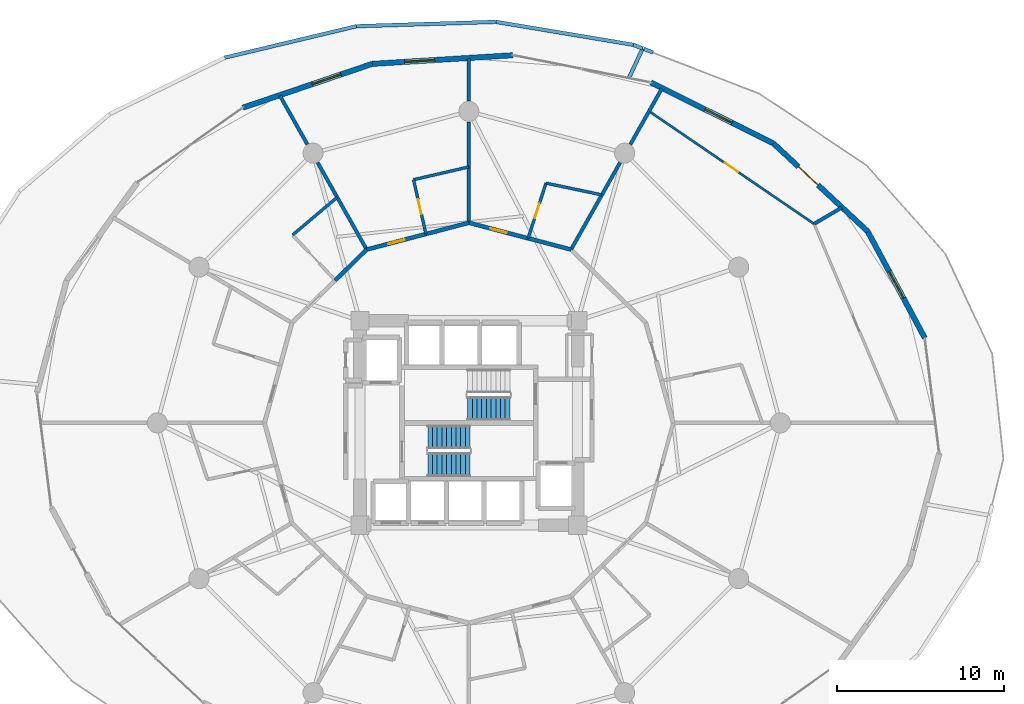
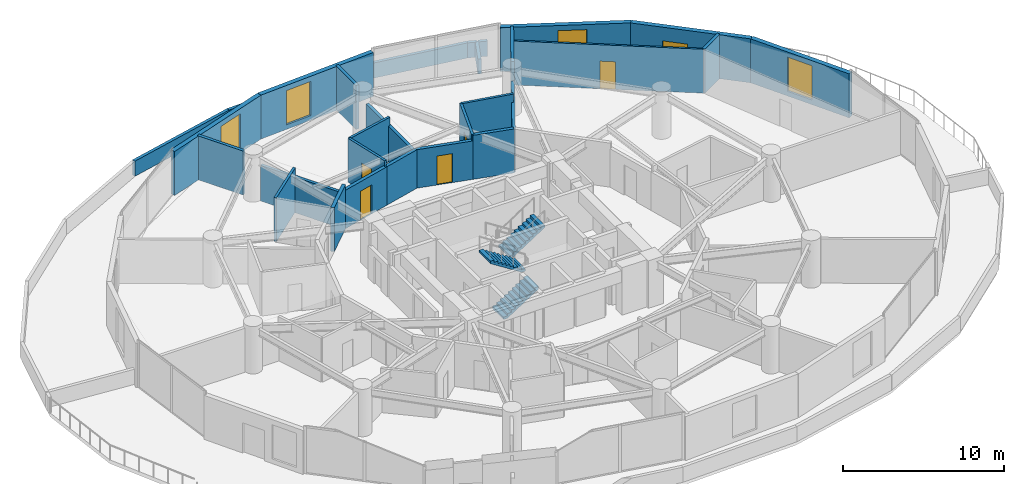
# One storey, part 21 of 25: 29 walls, 6 doors, 4 windows, 3 stair flights, 10 openings, 2 elements without a shape of their own.
"""IFC4 building model written with IfcOpenShell, lengths in metres."""

from ifc_helpers import new_model, si_unit, direction, frame, frame_2d, origin, place, context, subcontext, project, spatial, polyline, rectangle, outline, extrude, material, layer, layer_set, type_object, element, fill, aggregate, save


model = new_model("IFC4")

# Units and contexts
model_context = context("Model", 3, precision=1e-05, world=origin(), true_north=direction((0.0, 1.0)))
body_context = subcontext(model_context, "Body", "Model", "MODEL_VIEW")
ifc_project = project(units=[si_unit("LENGTHUNIT", "METRE"), si_unit("AREAUNIT", "SQUARE_METRE"), si_unit("VOLUMEUNIT", "CUBIC_METRE"), si_unit("PLANEANGLEUNIT", "RADIAN"), si_unit("MASSUNIT", "GRAM", prefix="KILO")], contexts=[model_context])

# Site, building, storey
site_placement = place(None, origin())
site = spatial("IfcSite", under=ifc_project, at=site_placement, CompositionType="ELEMENT")
building_placement = place(site_placement, origin())
building = spatial("IfcBuilding", under=site, at=building_placement, Name="Solvirekh Grand Hotel", CompositionType="ELEMENT")
storey_placement = place(building_placement, frame((0.0, 0.0, 28.39990234375)))
storey = spatial("IfcBuildingStorey", under=building, at=storey_placement, Name="L05", CompositionType="ELEMENT", Elevation=28.39990234375)

# Wall, opening, window
ifc_material_1 = material(Name="Precast concrete C45/55", Category="concrete")
ifc_layer_1 = layer(ifc_material_1, 0.320068359375)
ifc_layer_set_1 = layer_set([ifc_layer_1], Name="Precast concrete C45/55")
wall_type_1 = type_object("IfcWallType", Name="ExtLobbyWall_RC320", PredefinedType="SOLIDWALL", material=ifc_layer_set_1)
wall_1_placement = place(storey_placement, frame((23.81005859375, 11.43896484375, 0.0), z_axis=(0.0, 0.0, 1.0), x_axis=(0.472255130515, -0.881461905985, 0.0)))
wall_1 = element("IfcWall", 1, at=wall_1_placement, inside=storey, type_object=wall_type_1, Name="L05 exterior structural wall chord 2", PredefinedType="SOLIDWALL", context=body_context, shape_type="SweptSolid", body=[
    extrude(rectangle(XDim=7.2333984375, YDim=0.320068359375, at=frame_2d((3.61669921875, 0.0))), origin(), (0.0, 0.0, 1.0), 3.340087890625),
])
opening_1_placement = place(wall_1_placement, frame((2.717041015625, 0.0, 0.35009765625)))
opening_1 = element("IfcOpeningElement", 2, at=opening_1_placement, cuts=wall_1, Name="Opening W02", PredefinedType="OPENING", context=body_context, shape_type="SweptSolid", body=[
    extrude(rectangle(XDim=1.800048828125, YDim=2.60009765625, at=frame_2d((0.89990234375, 1.300048828125))), frame((0.0, 0.169921875, 0.0), z_axis=(0.0, -1.0, 0.0), x_axis=(1.0, 0.0, 0.0)), (0.0, 0.0, 1.0), 0.340087890625),
])
ifc_material_2 = material(Name="Low-E Tinted Bronze Laminated Glass", Category="aluminium")
window_type = type_object("IfcWindowType", Name="Win_LobbyExt_1800X2600", PartitioningType="SINGLE_PANEL", PredefinedType="WINDOW", material=ifc_material_2)
window_1_placement = place(opening_1_placement, origin())
window_1 = element("IfcWindow", 3, at=window_1_placement, inside=storey, type_object=window_type, Name="L05 panoramic bronze-framed window 2", OverallHeight=2.60009765625, OverallWidth=1.800048828125, PartitioningType="SINGLE_PANEL", PredefinedType="WINDOW", context=body_context, shape_type="SweptSolid", body=[
    extrude(rectangle(XDim=1.800048828125, YDim=2.60009765625, at=frame_2d((0.89990234375, 1.300048828125))), frame((0.0, 0.030029296875, 0.0), z_axis=(0.0, -1.0, 0.0), x_axis=(1.0, 0.0, 0.0)), (0.0, 0.0, 1.0), 0.06005859375),
])
fill(opening_1, window_1)

# Wall, opening, door
wall_2_placement = place(storey_placement, frame((18.177001953125, 16.696044921875, 0.0), z_axis=(0.0, 0.0, 1.0), x_axis=(0.731083716984, -0.682287768292, 0.0)))
wall_2 = element("IfcWall", 4, at=wall_2_placement, inside=storey, type_object=wall_type_1, Name="L05 exterior structural wall chord 3", PredefinedType="SOLIDWALL", context=body_context, shape_type="SweptSolid", body=[
    extrude(rectangle(XDim=7.705078125, YDim=0.320068359375, at=frame_2d((3.8525390625, 0.0))), origin(), (0.0, 0.0, 1.0), 3.340087890625),
])
opening_2_placement = place(wall_2_placement, frame((2.052001953125, 0.0, 0.0)))
opening_2 = element("IfcOpeningElement", 5, at=opening_2_placement, cuts=wall_2, Name="Opening D04", PredefinedType="OPENING", context=body_context, shape_type="SweptSolid", body=[
    extrude(rectangle(XDim=1.60009765625, YDim=2.300048828125, at=frame_2d((0.800048828125, 1.14990234375))), frame((0.0, 0.169921875, 0.0), z_axis=(0.0, -1.0, 0.0), x_axis=(1.0, 0.0, 0.0)), (0.0, 0.0, 1.0), 0.340087890625),
])
ifc_material_3 = material(Name="Anodized Bronze Aluminium 6063-T6", Category="aluminium")
door_type_1 = type_object("IfcDoorType", Name="Door_ExtTerrace_1600X2300", OperationType="NOTDEFINED", PredefinedType="DOOR", material=ifc_material_3)
door_1_placement = place(opening_2_placement, origin())
door_1 = element("IfcDoor", 6, at=door_1_placement, inside=storey, type_object=door_type_1, Name="L05 Podium roof terrace east exit door (3)", OperationType="SINGLE_SWING_RIGHT", OverallHeight=2.300048828125, OverallWidth=1.60009765625, PredefinedType="DOOR", context=body_context, shape_type="SweptSolid", body=[
    extrude(rectangle(XDim=1.60009765625, YDim=2.300048828125, at=frame_2d((0.800048828125, 1.14990234375))), frame((0.0, 0.02490234375, 0.0), z_axis=(0.0, -1.0, 0.0), x_axis=(1.0, 0.0, 0.0)), (0.0, 0.0, 1.0), 0.050048828125),
])
fill(opening_2, door_1)

# Wall, opening, window
wall_3_placement = place(storey_placement, frame((10.8759765625, 20.318115234375, 0.0), z_axis=(0.0, 0.0, 1.0), x_axis=(0.895818759339, -0.444419565743, 0.0)))
wall_3 = element("IfcWall", 7, at=wall_3_placement, inside=storey, type_object=wall_type_1, Name="L05 exterior structural wall chord 4", PredefinedType="SOLIDWALL", context=body_context, shape_type="SweptSolid", body=[
    extrude(rectangle(XDim=8.150146484375, YDim=0.320068359375, at=frame_2d((4.0751953125, 0.0))), origin(), (0.0, 0.0, 1.0), 3.340087890625),
])
opening_3_placement = place(wall_3_placement, frame((3.593994140625, 0.0, 0.35009765625)))
opening_3 = element("IfcOpeningElement", 8, at=opening_3_placement, cuts=wall_3, Name="Opening W02", PredefinedType="OPENING", context=body_context, shape_type="SweptSolid", body=[
    extrude(rectangle(XDim=1.800048828125, YDim=2.60009765625, at=frame_2d((0.89990234375, 1.300048828125))), frame((0.0, 0.169921875, 0.0), z_axis=(0.0, -1.0, 0.0), x_axis=(1.0, 0.0, 0.0)), (0.0, 0.0, 1.0), 0.340087890625),
])
window_2_placement = place(opening_3_placement, origin())
window_2 = element("IfcWindow", 9, at=window_2_placement, inside=storey, type_object=window_type, Name="L05 panoramic bronze-framed window 4", OverallHeight=2.60009765625, OverallWidth=1.800048828125, PartitioningType="SINGLE_PANEL", PredefinedType="WINDOW", context=body_context, shape_type="SweptSolid", body=[
    extrude(rectangle(XDim=1.800048828125, YDim=2.60009765625, at=frame_2d((0.89990234375, 1.300048828125))), frame((0.0, 0.030029296875, 0.0), z_axis=(0.0, -1.0, 0.0), x_axis=(1.0, 0.0, 0.0)), (0.0, 0.0, 1.0), 0.06005859375),
])
fill(opening_3, window_2)

wall_4_placement = place(storey_placement, frame((-5.77294921875, 21.43505859375, 0.0), z_axis=(0.0, 0.0, 1.0), x_axis=(0.998117750792, 0.06132663005, 0.0)))
wall_4 = element("IfcWall", 10, at=wall_4_placement, inside=storey, type_object=wall_type_1, Name="L05 exterior structural wall chord 6", PredefinedType="SOLIDWALL", context=body_context, shape_type="SweptSolid", body=[
    extrude(rectangle(XDim=8.411865234375, YDim=0.320068359375, at=frame_2d((4.2060546875, 0.0))), origin(), (0.0, 0.0, 1.0), 3.340087890625),
])
opening_4_placement = place(wall_4_placement, frame((1.94091796875, 0.0, 0.35009765625)))
opening_4 = element("IfcOpeningElement", 11, at=opening_4_placement, cuts=wall_4, Name="Opening W02", PredefinedType="OPENING", context=body_context, shape_type="SweptSolid", body=[
    extrude(rectangle(XDim=1.800048828125, YDim=2.60009765625, at=frame_2d((0.89990234375, 1.300048828125))), frame((0.0, 0.169921875, 0.0), z_axis=(0.0, -1.0, 0.0), x_axis=(1.0, 0.0, 0.0)), (0.0, 0.0, 1.0), 0.340087890625),
])
window_3_placement = place(opening_4_placement, origin())
window_3 = element("IfcWindow", 12, at=window_3_placement, inside=storey, type_object=window_type, Name="L05 panoramic bronze-framed window 6", OverallHeight=2.60009765625, OverallWidth=1.800048828125, PartitioningType="SINGLE_PANEL", PredefinedType="WINDOW", context=body_context, shape_type="SweptSolid", body=[
    extrude(rectangle(XDim=1.800048828125, YDim=2.60009765625, at=frame_2d((0.89990234375, 1.300048828125))), frame((0.0, 0.030029296875, 0.0), z_axis=(0.0, -1.0, 0.0), x_axis=(1.0, 0.0, 0.0)), (0.0, 0.0, 1.0), 0.06005859375),
])
fill(opening_4, window_3)

wall_5_placement = place(storey_placement, frame((-13.492919921875, 18.821044921875, 0.0), z_axis=(0.0, 0.0, 1.0), x_axis=(0.94717495877, 0.320717317085, 0.0)))
wall_5 = element("IfcWall", 13, at=wall_5_placement, inside=storey, type_object=wall_type_1, Name="L05 exterior structural wall chord 7", PredefinedType="SOLIDWALL", context=body_context, shape_type="SweptSolid", body=[
    extrude(rectangle(XDim=8.150634765625, YDim=0.320068359375, at=frame_2d((4.0751953125, 0.0))), origin(), (0.0, 0.0, 1.0), 3.340087890625),
])
opening_5_placement = place(wall_5_placement, frame((4.388916015625, 0.0, 0.35009765625)))
opening_5 = element("IfcOpeningElement", 14, at=opening_5_placement, cuts=wall_5, Name="Opening W02", PredefinedType="OPENING", context=body_context, shape_type="SweptSolid", body=[
    extrude(rectangle(XDim=1.800048828125, YDim=2.60009765625, at=frame_2d((0.89990234375, 1.300048828125))), frame((0.0, 0.169921875, 0.0), z_axis=(0.0, -1.0, 0.0), x_axis=(1.0, 0.0, 0.0)), (0.0, 0.0, 1.0), 0.340087890625),
])
window_4_placement = place(opening_5_placement, origin())
window_4 = element("IfcWindow", 15, at=window_4_placement, inside=storey, type_object=window_type, Name="L05 panoramic bronze-framed window 7", OverallHeight=2.60009765625, OverallWidth=1.800048828125, PartitioningType="SINGLE_PANEL", PredefinedType="WINDOW", context=body_context, shape_type="SweptSolid", body=[
    extrude(rectangle(XDim=1.800048828125, YDim=2.60009765625, at=frame_2d((0.89990234375, 1.300048828125))), frame((0.0, 0.030029296875, 0.0), z_axis=(0.0, -1.0, 0.0), x_axis=(1.0, 0.0, 0.0)), (0.0, 0.0, 1.0), 0.06005859375),
])
fill(opening_5, window_4)

# Walls
ifc_layer_2 = layer(ifc_material_1, 0.219970703125)
ifc_layer_set_2 = layer_set([ifc_layer_2], Name="Precast concrete C45/55")
wall_type_2 = type_object("IfcWallType", Name="ExtParapet_RC220", PredefinedType="PARAPET", material=ifc_layer_set_2)
wall_6_placement = place(storey_placement, frame((10.9970703125, 22.1201171875, 0.0), z_axis=(0.0, 0.0, 1.0), x_axis=(-0.932823861969, 0.360332683143, 0.0)))
element("IfcWall", 16, at=wall_6_placement, inside=storey, type_object=wall_type_2, Name="L05 east terrace movement-joint end pier 1B", PredefinedType="PARAPET", context=body_context, shape_type="SweptSolid", body=[
    extrude(rectangle(XDim=0.580078125, YDim=0.219970703125, at=frame_2d((0.2900390625, 0.0))), origin(), (0.0, 0.0, 1.0), 1.150146484375),
])
wall_7_placement = place(storey_placement, frame((9.56103515625, 20.59912109375, 0.0), z_axis=(0.0, 0.0, 1.0), x_axis=(0.422589288727, 0.906321296811, 0.0)))
element("IfcWall", 17, at=wall_7_placement, inside=storey, type_object=wall_type_2, Name="L05 north podium roof upstand parapet 1", PredefinedType="PARAPET", context=body_context, shape_type="SweptSolid", body=[
    extrude(rectangle(XDim=1.940673828125, YDim=0.219970703125, at=frame_2d((0.97021484375, 0.0))), origin(), (0.0, 0.0, 1.0), 1.150146484375),
])
wall_8_placement = place(storey_placement, frame((10.381103515625, 22.35791015625, 0.0), z_axis=(0.0, 0.0, 1.0), x_axis=(-0.932991992414, 0.359897127095, 0.0)))
element("IfcWall", 18, at=wall_8_placement, inside=storey, type_object=wall_type_2, Name="L05 north podium roof upstand parapet 2", PredefinedType="PARAPET", context=body_context, shape_type="SweptSolid", body=[
    extrude(rectangle(XDim=0.605712890625, YDim=0.219970703125, at=frame_2d((0.302734375, 0.0))), origin(), (0.0, 0.0, 1.0), 1.150146484375),
])
wall_9_placement = place(storey_placement, frame((9.81591796875, 22.575927734375, 0.0), z_axis=(0.0, 0.0, 1.0), x_axis=(-0.98635584135, 0.164627319226, 0.0)))
element("IfcWall", 19, at=wall_9_placement, inside=storey, type_object=wall_type_2, Name="L05 north podium roof upstand parapet 3", PredefinedType="PARAPET", context=body_context, shape_type="SweptSolid", body=[
    extrude(rectangle(XDim=8.322509765625, YDim=0.219970703125, at=frame_2d((4.1611328125, 0.0))), origin(), (0.0, 0.0, 1.0), 1.150146484375),
])
wall_10_placement = place(storey_placement, frame((1.60693359375, 23.946044921875, 0.0), z_axis=(0.0, 0.0, 1.0), x_axis=(-0.999508118347, -0.031361144071, 0.0)))
element("IfcWall", 20, at=wall_10_placement, inside=storey, type_object=wall_type_2, Name="L05 north podium roof upstand parapet 4", PredefinedType="PARAPET", context=body_context, shape_type="SweptSolid", body=[
    extrude(rectangle(XDim=8.322021484375, YDim=0.219970703125, at=frame_2d((4.1611328125, 0.0))), origin(), (0.0, 0.0, 1.0), 1.150146484375),
])
wall_11_placement = place(storey_placement, frame((-6.7109375, 23.68505859375, 0.0), z_axis=(0.0, 0.0, 1.0), x_axis=(-0.972686482299, -0.232122827727, 0.0)))
element("IfcWall", 21, at=wall_11_placement, inside=storey, type_object=wall_type_2, Name="L05 north podium roof upstand parapet 5", PredefinedType="PARAPET", context=body_context, shape_type="SweptSolid", body=[
    extrude(rectangle(XDim=8.081787109375, YDim=0.219970703125, at=frame_2d((4.041015625, 0.0))), origin(), (0.0, 0.0, 1.0), 1.150146484375),
])
ifc_material_4 = material(Name="Acoustic Gypsum Partition Assembly")
ifc_layer_3 = layer(ifc_material_4, 0.239990234375)
ifc_layer_set_3 = layer_set([ifc_layer_3], Name="Acoustic Gypsum Partition Assembly")
wall_type_3 = type_object("IfcWallType", Name="Part_Corridor_240", PredefinedType="PARTITIONING", material=ifc_layer_set_3)
wall_12_placement = place(storey_placement, frame((6.10009765625, 10.34912109375, 0.0), z_axis=(0.0, 0.0, 1.0), x_axis=(-0.967291490053, 0.253667446219, 0.0)))
element("IfcWall", 22, at=wall_12_placement, inside=storey, type_object=wall_type_3, Name="L05 En-suite Bathroom 0702 corridor backing wall", PredefinedType="PARTITIONING", context=body_context, shape_type="SweptSolid", body=[
    extrude(rectangle(XDim=2.648681640625, YDim=0.239990234375, at=frame_2d((1.32421875, 0.0))), origin(), (0.0, 0.0, 1.0), 3.340087890625),
])

# Wall, opening, door
wall_13_placement = place(storey_placement, frame((3.5380859375, 11.02099609375, 0.0), z_axis=(0.0, 0.0, 1.0), x_axis=(-0.96721703222, 0.253951201187, 0.0)))
wall_13 = element("IfcWall", 23, at=wall_13_placement, inside=storey, type_object=wall_type_3, Name="L05 Deluxe Guestroom 0702 entrance wall", PredefinedType="PARTITIONING", context=body_context, shape_type="SweptSolid", body=[
    extrude(rectangle(XDim=3.657958984375, YDim=0.239990234375, at=frame_2d((1.8291015625, 0.0))), origin(), (0.0, 0.0, 1.0), 2.919189453125),
])
opening_6_placement = place(wall_13_placement, frame((1.3291015625, 0.0, 0.0)))
opening_6 = element("IfcOpeningElement", 24, at=opening_6_placement, cuts=wall_13, Name="Opening D07", PredefinedType="OPENING", context=body_context, shape_type="SweptSolid", body=[
    extrude(rectangle(XDim=1.0, YDim=2.199951171875, at=frame_2d((0.5, 1.10009765625))), frame((0.0, 0.1298828125, 0.0), z_axis=(0.0, -1.0, 0.0), x_axis=(1.0, 0.0, 0.0)), (0.0, 0.0, 1.0), 0.260009765625),
])
ifc_material_5 = material(Name="Fire-Rated Steel Door Assembly", Category="steel")
door_type_2 = type_object("IfcDoorType", Name="Door_GuestEntry_1000X2200", OperationType="NOTDEFINED", PredefinedType="DOOR", material=ifc_material_5)
door_2_placement = place(opening_6_placement, origin())
door_2 = element("IfcDoor", 25, at=door_2_placement, inside=storey, type_object=door_type_2, Name="L05 Deluxe Guestroom 0702 entrance door", OperationType="SINGLE_SWING_LEFT", OverallHeight=2.199951171875, OverallWidth=1.0, PredefinedType="DOOR", context=body_context, shape_type="SweptSolid", body=[
    extrude(rectangle(XDim=1.0, YDim=2.199951171875, at=frame_2d((0.5, 1.10009765625))), frame((0.0, 0.02490234375, 0.0), z_axis=(0.0, -1.0, 0.0), x_axis=(1.0, 0.0, 0.0)), (0.0, 0.0, 1.0), 0.050048828125),
])
fill(opening_6, door_2)

# Wall
wall_14_placement = place(storey_placement, frame((0.0, 11.949951171875, 0.0), z_axis=(0.0, 0.0, 1.0), x_axis=(-0.967291490053, -0.253667446219, 0.0)))
element("IfcWall", 26, at=wall_14_placement, inside=storey, type_object=wall_type_3, Name="L05 En-suite Bathroom 0703 corridor backing wall", PredefinedType="PARTITIONING", context=body_context, shape_type="SweptSolid", body=[
    extrude(rectangle(XDim=2.648681640625, YDim=0.239990234375, at=frame_2d((1.32421875, 0.0))), origin(), (0.0, 0.0, 1.0), 2.919189453125),
])

# Wall, opening, door
wall_15_placement = place(storey_placement, frame((-2.56201171875, 11.278076171875, 0.0), z_axis=(0.0, 0.0, 1.0), x_axis=(-0.96721703222, -0.253951201187, 0.0)))
wall_15 = element("IfcWall", 27, at=wall_15_placement, inside=storey, type_object=wall_type_3, Name="L05 Deluxe Guestroom 0703 entrance wall", PredefinedType="PARTITIONING", context=body_context, shape_type="SweptSolid", body=[
    extrude(rectangle(XDim=3.657958984375, YDim=0.239990234375, at=frame_2d((1.8291015625, 0.0))), origin(), (0.0, 0.0, 1.0), 2.919189453125),
])
opening_7_placement = place(wall_15_placement, frame((1.3291015625, 0.0, 0.0)))
opening_7 = element("IfcOpeningElement", 28, at=opening_7_placement, cuts=wall_15, Name="Opening D07", PredefinedType="OPENING", context=body_context, shape_type="SweptSolid", body=[
    extrude(rectangle(XDim=1.0, YDim=2.199951171875, at=frame_2d((0.5, 1.10009765625))), frame((0.0, 0.1298828125, 0.0), z_axis=(0.0, -1.0, 0.0), x_axis=(1.0, 0.0, 0.0)), (0.0, 0.0, 1.0), 0.260009765625),
])
door_3_placement = place(opening_7_placement, origin())
door_3 = element("IfcDoor", 29, at=door_3_placement, inside=storey, type_object=door_type_2, Name="L05 Deluxe Guestroom 0703 entrance door", OperationType="SINGLE_SWING_LEFT", OverallHeight=2.199951171875, OverallWidth=1.0, PredefinedType="DOOR", context=body_context, shape_type="SweptSolid", body=[
    extrude(rectangle(XDim=1.0, YDim=2.199951171875, at=frame_2d((0.5, 1.10009765625))), frame((0.0, 0.02490234375, 0.0), z_axis=(0.0, -1.0, 0.0), x_axis=(1.0, 0.0, 0.0)), (0.0, 0.0, 1.0), 0.050048828125),
])
fill(opening_7, door_3)

# Wall
wall_16_placement = place(storey_placement, frame((-6.10009765625, 10.34912109375, 0.0), z_axis=(0.0, 0.0, 1.0), x_axis=(-0.714460071513, -0.69967621527, 0.0)))
element("IfcWall", 30, at=wall_16_placement, inside=storey, type_object=wall_type_3, Name="L05 En-suite Bathroom 0704 corridor backing wall", PredefinedType="PARTITIONING", context=body_context, shape_type="SweptSolid", body=[
    extrude(rectangle(XDim=2.625732421875, YDim=0.239990234375, at=frame_2d((1.31298828125, 0.0))), origin(), (0.0, 0.0, 1.0), 3.340087890625),
])

# Wall, opening, door
ifc_layer_4 = layer(ifc_material_4, 0.135009765625)
ifc_layer_set_4 = layer_set([ifc_layer_4], Name="Acoustic Gypsum Partition Assembly")
wall_type_4 = type_object("IfcWallType", Name="Part_RoomInt_135", PredefinedType="PARTITIONING", material=ifc_layer_set_4)
wall_17_placement = place(storey_placement, frame((20.613037109375, 11.883056640625, 0.0), z_axis=(0.0, 0.0, 1.0), x_axis=(-0.825894658533, 0.563824452295, 0.0)))
wall_17 = element("IfcWall", 31, at=wall_17_placement, inside=storey, type_object=wall_type_4, Name="L05 Executive Suite 0701 Panorama Suite Study bedroom screen wall", PredefinedType="PARTITIONING", context=body_context, shape_type="SweptSolid", body=[
    extrude(rectangle(XDim=11.928955078125, YDim=0.135009765625, at=frame_2d((5.96435546875, 0.0))), origin(), (0.0, 0.0, 1.0), 3.340087890625),
])
opening_8_placement = place(wall_17_placement, frame((5.489013671875, 0.0, 0.0)))
opening_8 = element("IfcOpeningElement", 32, at=opening_8_placement, cuts=wall_17, Name="Opening D10", PredefinedType="OPENING", context=body_context, shape_type="SweptSolid", body=[
    extrude(rectangle(XDim=0.949951171875, YDim=2.10009765625, at=frame_2d((0.47509765625, 1.050048828125))), frame((0.0, 0.07763671875, 0.0), z_axis=(0.0, -1.0, 0.0), x_axis=(1.0, 0.0, 0.0)), (0.0, 0.0, 1.0), 0.155029296875),
])
door_type_3 = type_object("IfcDoorType", Name="Door_RoomInt_950X2100", OperationType="NOTDEFINED", PredefinedType="DOOR", material=ifc_material_3)
door_4_placement = place(opening_8_placement, origin())
door_4 = element("IfcDoor", 33, at=door_4_placement, inside=storey, type_object=door_type_3, Name="L05 Executive Suite 0701 Panorama Suite Study master bedroom door", OperationType="SINGLE_SWING_LEFT", OverallHeight=2.10009765625, OverallWidth=0.949951171875, PredefinedType="DOOR", context=body_context, shape_type="SweptSolid", body=[
    extrude(rectangle(XDim=0.949951171875, YDim=2.10009765625, at=frame_2d((0.47509765625, 1.050048828125))), frame((0.0, 0.02490234375, 0.0), z_axis=(0.0, -1.0, 0.0), x_axis=(1.0, 0.0, 0.0)), (0.0, 0.0, 1.0), 0.050048828125),
])
fill(opening_8, door_4)

# Walls
ifc_layer_5 = layer(ifc_material_4, 0.2099609375)
ifc_layer_set_5 = layer_set([ifc_layer_5], Name="Acoustic Gypsum Partition Assembly")
wall_type_5 = type_object("IfcWallType", Name="Part_SuiteDemise_210", PredefinedType="PARTITIONING", material=ifc_layer_set_5)
wall_18_placement = place(storey_placement, frame((6.10009765625, 10.34912109375, 0.0), z_axis=(0.0, 0.0, 1.0), x_axis=(0.491458802648, 0.870900824032, 0.0)))
element("IfcWall", 34, at=wall_18_placement, inside=storey, type_object=wall_type_5, Name="L05 suite radial wall 3 (A)", PredefinedType="PARTITIONING", context=body_context, shape_type="SweptSolid", body=[
    extrude(rectangle(XDim=5.9697265625, YDim=0.2099609375, at=frame_2d((2.98486328125, 0.0))), origin(), (0.0, 0.0, 1.0), 2.7080078125),
])
wall_19_placement = place(storey_placement, frame((9.64208984375, 16.625, 0.0), z_axis=(0.0, 0.0, 1.0), x_axis=(0.491316217202, 0.870981271161, 0.0)))
element("IfcWall", 35, at=wall_19_placement, inside=storey, type_object=wall_type_5, Name="L05 suite radial wall 3 (B)", PredefinedType="PARTITIONING", context=body_context, shape_type="SweptSolid", body=[
    extrude(rectangle(XDim=3.822265625, YDim=0.2099609375, at=frame_2d((1.9111328125, 0.0))), origin(), (0.0, 0.0, 1.0), 3.340087890625),
])
wall_20_placement = place(storey_placement, frame((0.0, 11.949951171875, 0.0), z_axis=(0.0, 0.0, 1.0), x_axis=(0.0, 1.0, 0.0)))
element("IfcWall", 36, at=wall_20_placement, inside=storey, type_object=wall_type_5, Name="L05 suite radial wall 4 (A)", PredefinedType="PARTITIONING", context=body_context, shape_type="SweptSolid", body=[
    extrude(rectangle(XDim=6.030029296875, YDim=0.2099609375, at=frame_2d((3.01513671875, 0.0))), origin(), (0.0, 0.0, 1.0), 2.7080078125),
])
wall_21_placement = place(storey_placement, frame((0.0, 19.219970703125, 0.0), z_axis=(0.0, 0.0, 1.0), x_axis=(0.0, 1.0, 0.0)))
element("IfcWall", 37, at=wall_21_placement, inside=storey, type_object=wall_type_5, Name="L05 suite radial wall 4 (B)", PredefinedType="PARTITIONING", context=body_context, shape_type="SweptSolid", body=[
    extrude(rectangle(XDim=2.530029296875, YDim=0.2099609375, at=frame_2d((1.26513671875, 0.0))), origin(), (0.0, 0.0, 1.0), 3.340087890625),
])
wall_22_placement = place(storey_placement, frame((-6.10009765625, 10.34912109375, 0.0), z_axis=(0.0, 0.0, 1.0), x_axis=(-0.491140594116, 0.871080315936, 0.0)))
element("IfcWall", 38, at=wall_22_placement, inside=storey, type_object=wall_type_5, Name="L05 suite radial wall 5 (A)", PredefinedType="PARTITIONING", context=body_context, shape_type="SweptSolid", body=[
    extrude(rectangle(XDim=5.969482421875, YDim=0.2099609375, at=frame_2d((2.98486328125, 0.0))), origin(), (0.0, 0.0, 1.0), 2.7080078125),
])
wall_23_placement = place(storey_placement, frame((-9.638916015625, 16.626953125, 0.0), z_axis=(0.0, 0.0, 1.0), x_axis=(-0.491168715891, 0.871064459457, 0.0)))
element("IfcWall", 39, at=wall_23_placement, inside=storey, type_object=wall_type_5, Name="L05 suite radial wall 5 (B)", PredefinedType="PARTITIONING", context=body_context, shape_type="SweptSolid", body=[
    extrude(rectangle(XDim=3.332763671875, YDim=0.2099609375, at=frame_2d((1.66650390625, 0.0))), origin(), (0.0, 0.0, 1.0), 3.340087890625),
])
wall_24_placement = place(storey_placement, frame((20.613037109375, 11.883056640625, 0.0), z_axis=(0.0, 0.0, 1.0), x_axis=(0.861901128596, 0.507076369519, 0.0)))
element("IfcWall", 40, at=wall_24_placement, inside=storey, type_object=wall_type_5, Name="L05 Executive Suite 0701 Living Room dividing partition 1", PredefinedType="PARTITIONING", context=body_context, shape_type="SweptSolid", body=[
    extrude(rectangle(XDim=1.89697265625, YDim=0.2099609375, at=frame_2d((0.948486328125, 0.0))), origin(), (0.0, 0.0, 1.0), 3.340087890625),
])
ifc_layer_6 = layer(ifc_material_4, 0.175048828125)
ifc_layer_set_6 = layer_set([ifc_layer_6], Name="Acoustic Gypsum Partition Assembly")
wall_type_6 = type_object("IfcWallType", Name="Plumb_Ensuite_175", PredefinedType="PLUMBINGWALL", material=ifc_layer_set_6)
wall_25_placement = place(storey_placement, frame((7.943115234375, 13.614990234375, 0.0), z_axis=(0.0, 0.0, 1.0), x_axis=(-0.978691652986, 0.205335453283, 0.0)))
element("IfcWall", 41, at=wall_25_placement, inside=storey, type_object=wall_type_6, Name="L05 En-suite Bathroom 0702 outer plumbing wall", PredefinedType="PLUMBINGWALL", context=body_context, shape_type="SweptSolid", body=[
    extrude(rectangle(XDim=3.408935546875, YDim=0.175048828125, at=frame_2d((1.70458984375, 0.0))), origin(), (0.0, 0.0, 1.0), 3.340087890625),
])

# Wall, opening, door
wall_26_placement = place(storey_placement, frame((3.5380859375, 11.02099609375, 0.0), z_axis=(0.0, 0.0, 1.0), x_axis=(0.308646066056, 0.951176958251, 0.0)))
wall_26 = element("IfcWall", 42, at=wall_26_placement, inside=storey, type_object=wall_type_6, Name="L05 En-suite Bathroom 0702 entry plumbing wall", PredefinedType="PLUMBINGWALL", context=body_context, shape_type="SweptSolid", body=[
    extrude(rectangle(XDim=3.463134765625, YDim=0.175048828125, at=frame_2d((1.7314453125, 0.0))), origin(), (0.0, 0.0, 1.0), 3.340087890625),
])
opening_9_placement = place(wall_26_placement, frame((1.281982421875, 0.0, 0.0)))
opening_9 = element("IfcOpeningElement", 43, at=opening_9_placement, cuts=wall_26, Name="Opening D09", PredefinedType="OPENING", context=body_context, shape_type="SweptSolid", body=[
    extrude(rectangle(XDim=0.89990234375, YDim=2.10009765625, at=frame_2d((0.449951171875, 1.050048828125))), frame((0.0, 0.09765625, 0.0), z_axis=(0.0, -1.0, 0.0), x_axis=(1.0, 0.0, 0.0)), (0.0, 0.0, 1.0), 0.195068359375),
])
door_type_4 = type_object("IfcDoorType", Name="Door_Ensuite_900X2100", OperationType="NOTDEFINED", PredefinedType="DOOR", material=ifc_material_3)
door_5_placement = place(opening_9_placement, origin())
door_5 = element("IfcDoor", 44, at=door_5_placement, inside=storey, type_object=door_type_4, Name="L05 En-suite Bathroom 0702 door", OperationType="SINGLE_SWING_RIGHT", OverallHeight=2.10009765625, OverallWidth=0.89990234375, PredefinedType="DOOR", context=body_context, shape_type="SweptSolid", body=[
    extrude(rectangle(XDim=0.89990234375, YDim=2.10009765625, at=frame_2d((0.449951171875, 1.050048828125))), frame((0.0, 0.02490234375, 0.0), z_axis=(0.0, -1.0, 0.0), x_axis=(1.0, 0.0, 0.0)), (0.0, 0.0, 1.0), 0.050048828125),
])
fill(opening_9, door_5)

# Wall
wall_27_placement = place(storey_placement, frame((0.0, 15.281982421875, 0.0), z_axis=(0.0, 0.0, 1.0), x_axis=(-0.974505253862, -0.224364681257, 0.0)))
element("IfcWall", 45, at=wall_27_placement, inside=storey, type_object=wall_type_6, Name="L05 En-suite Bathroom 0703 outer plumbing wall", PredefinedType="PLUMBINGWALL", context=body_context, shape_type="SweptSolid", body=[
    extrude(rectangle(XDim=3.387451171875, YDim=0.175048828125, at=frame_2d((1.69384765625, 0.0))), origin(), (0.0, 0.0, 1.0), 3.340087890625),
])

# Wall, opening, door
wall_28_placement = place(storey_placement, frame((-2.56201171875, 11.278076171875, 0.0), z_axis=(0.0, 0.0, 1.0), x_axis=(-0.222125372562, 0.97501811207, 0.0)))
wall_28 = element("IfcWall", 46, at=wall_28_placement, inside=storey, type_object=wall_type_6, Name="L05 En-suite Bathroom 0703 entry plumbing wall", PredefinedType="PLUMBINGWALL", context=body_context, shape_type="SweptSolid", body=[
    extrude(rectangle(XDim=3.326904296875, YDim=0.175048828125, at=frame_2d((1.66357421875, 0.0))), origin(), (0.0, 0.0, 1.0), 3.340087890625),
])
opening_10_placement = place(wall_28_placement, frame((1.214111328125, 0.0, 0.0)))
opening_10 = element("IfcOpeningElement", 47, at=opening_10_placement, cuts=wall_28, Name="Opening D09", PredefinedType="OPENING", context=body_context, shape_type="SweptSolid", body=[
    extrude(rectangle(XDim=0.89990234375, YDim=2.10009765625, at=frame_2d((0.449951171875, 1.050048828125))), frame((0.0, 0.09765625, 0.0), z_axis=(0.0, -1.0, 0.0), x_axis=(1.0, 0.0, 0.0)), (0.0, 0.0, 1.0), 0.195068359375),
])
door_6_placement = place(opening_10_placement, origin())
door_6 = element("IfcDoor", 48, at=door_6_placement, inside=storey, type_object=door_type_4, Name="L05 En-suite Bathroom 0703 door", OperationType="SINGLE_SWING_RIGHT", OverallHeight=2.10009765625, OverallWidth=0.89990234375, PredefinedType="DOOR", context=body_context, shape_type="SweptSolid", body=[
    extrude(rectangle(XDim=0.89990234375, YDim=2.10009765625, at=frame_2d((0.449951171875, 1.050048828125))), frame((0.0, 0.02490234375, 0.0), z_axis=(0.0, -1.0, 0.0), x_axis=(1.0, 0.0, 0.0)), (0.0, 0.0, 1.0), 0.050048828125),
])
fill(opening_10, door_6)

# Wall
wall_29_placement = place(storey_placement, frame((-7.860107421875, 13.470947265625, 0.0), z_axis=(0.0, 0.0, 1.0), x_axis=(-0.763718302061, -0.645549653471, 0.0)))
element("IfcWall", 49, at=wall_29_placement, inside=storey, type_object=wall_type_6, Name="L05 En-suite Bathroom 0704 outer plumbing wall", PredefinedType="PLUMBINGWALL", context=body_context, shape_type="SweptSolid", body=[
    extrude(rectangle(XDim=3.4853515625, YDim=0.175048828125, at=frame_2d((1.74267578125, 0.0))), origin(), (0.0, 0.0, 1.0), 3.340087890625),
])

# Stair, stair flights
ifc_material_6 = material(Name="Concrete C40/50", Category="concrete")
stair_type = type_object("IfcStairType", Name="Stair_Core_1450", PredefinedType="HALF_TURN_STAIR", material=ifc_material_6)
stair_1_placement = place(storey_placement, origin())
stair_1 = element("IfcStair", 50, at=stair_1_placement, inside=storey, type_object=stair_type, Name="L05 Enclosed exit stair ST-1", PredefinedType="HALF_TURN_STAIR")
stair_flight_type = type_object("IfcStairFlightType", Name="Flight_Core_1450", PredefinedType="STRAIGHT", material=ifc_material_6)
stair_flight_1_placement = place(storey_placement, frame((-2.449951171875, -2.5, 0.0), z_axis=(0.0, 0.0, 1.0), x_axis=(1.0, 0.0, 0.0)))
stair_flight_1 = element("IfcStairFlight", 51, at=stair_flight_1_placement, type_object=stair_flight_type, Name="ST-1 flight 1", NumberOfRisers=10, NumberOfTreads=9, PredefinedType="STRAIGHT", RiserHeight=0.18, TreadLength=0.28, context=body_context, shape_type="SweptSolid", body=[
    extrude(outline(polyline([(0.0, 0.0), (0.0, 0.179931640625), (0.280029296875, 0.179931640625), (0.280029296875, 0.360107421875), (0.56005859375, 0.360107421875), (0.56005859375, 0.5400390625), (0.840087890625, 0.5400390625), (0.840087890625, 0.719970703125), (1.1201171875, 0.719970703125), (1.1201171875, 0.89990234375), (1.39990234375, 0.89990234375), (1.39990234375, 1.080078125), (1.679931640625, 1.080078125), (1.679931640625, 1.260009765625), (1.9599609375, 1.260009765625), (1.9599609375, 1.43994140625), (2.239990234375, 1.43994140625), (2.239990234375, 1.6201171875), (2.52001953125, 1.6201171875), (2.52001953125, 1.800048828125), (2.52001953125, 1.44189453125), (0.277099609375, 0.0), (0.0, 0.0)])), frame((0.0, 0.699951171875, 0.0), z_axis=(0.0, -1.0, 0.0), x_axis=(1.0, 0.0, 0.0)), (0.0, 0.0, 1.0), 1.39990234375),
])
stair_flight_2_placement = place(storey_placement, frame((0.070068359375, -0.85009765625, 1.800048828125), z_axis=(0.0, 0.0, 1.0), x_axis=(-1.0, 0.0, 0.0)))
stair_flight_2 = element("IfcStairFlight", 52, at=stair_flight_2_placement, type_object=stair_flight_type, Name="ST-1 flight 2", NumberOfRisers=10, NumberOfTreads=9, PredefinedType="STRAIGHT", RiserHeight=0.18, TreadLength=0.28, context=body_context, shape_type="SweptSolid", body=[
    extrude(outline(polyline([(0.0, 0.0), (0.0, 0.179931640625), (0.280029296875, 0.179931640625), (0.280029296875, 0.360107421875), (0.56005859375, 0.360107421875), (0.56005859375, 0.5400390625), (0.840087890625, 0.5400390625), (0.840087890625, 0.719970703125), (1.1201171875, 0.719970703125), (1.1201171875, 0.89990234375), (1.39990234375, 0.89990234375), (1.39990234375, 1.080078125), (1.679931640625, 1.080078125), (1.679931640625, 1.260009765625), (1.9599609375, 1.260009765625), (1.9599609375, 1.43994140625), (2.239990234375, 1.43994140625), (2.239990234375, 1.6201171875), (2.52001953125, 1.6201171875), (2.52001953125, 1.800048828125), (2.52001953125, 1.44189453125), (0.277099609375, 0.0), (0.0, 0.0)])), frame((0.0, 0.699951171875, 0.0), z_axis=(0.0, -1.0, 0.0), x_axis=(1.0, 0.0, 0.0)), (0.0, 0.0, 1.0), 1.39990234375),
])
aggregate(stair_1, [stair_flight_1, stair_flight_2])

# Stair, stair flight
stair_2_placement = place(storey_placement, origin())
stair_2 = element("IfcStair", 53, at=stair_2_placement, inside=storey, type_object=stair_type, Name="L05 Enclosed exit stair ST-2", PredefinedType="HALF_TURN_STAIR")
stair_flight_3_placement = place(storey_placement, frame((-0.070068359375, 0.85009765625, 1.800048828125), z_axis=(0.0, 0.0, 1.0), x_axis=(1.0, 0.0, 0.0)))
stair_flight_3 = element("IfcStairFlight", 54, at=stair_flight_3_placement, type_object=stair_flight_type, Name="ST-2 flight 2", NumberOfRisers=10, NumberOfTreads=9, PredefinedType="STRAIGHT", RiserHeight=0.18, TreadLength=0.28, context=body_context, shape_type="SweptSolid", body=[
    extrude(outline(polyline([(0.0, 0.0), (0.0, 0.179931640625), (0.280029296875, 0.179931640625), (0.280029296875, 0.360107421875), (0.56005859375, 0.360107421875), (0.56005859375, 0.5400390625), (0.840087890625, 0.5400390625), (0.840087890625, 0.719970703125), (1.1201171875, 0.719970703125), (1.1201171875, 0.89990234375), (1.39990234375, 0.89990234375), (1.39990234375, 1.080078125), (1.679931640625, 1.080078125), (1.679931640625, 1.260009765625), (1.9599609375, 1.260009765625), (1.9599609375, 1.43994140625), (2.239990234375, 1.43994140625), (2.239990234375, 1.6201171875), (2.52001953125, 1.6201171875), (2.52001953125, 1.800048828125), (2.52001953125, 1.44189453125), (0.277099609375, 0.0), (0.0, 0.0)])), frame((0.0, 0.699951171875, 0.0), z_axis=(0.0, -1.0, 0.0), x_axis=(1.0, 0.0, 0.0)), (0.0, 0.0, 1.0), 1.39990234375),
])
aggregate(stair_2, [stair_flight_3])

save(model, "model.ifc")
